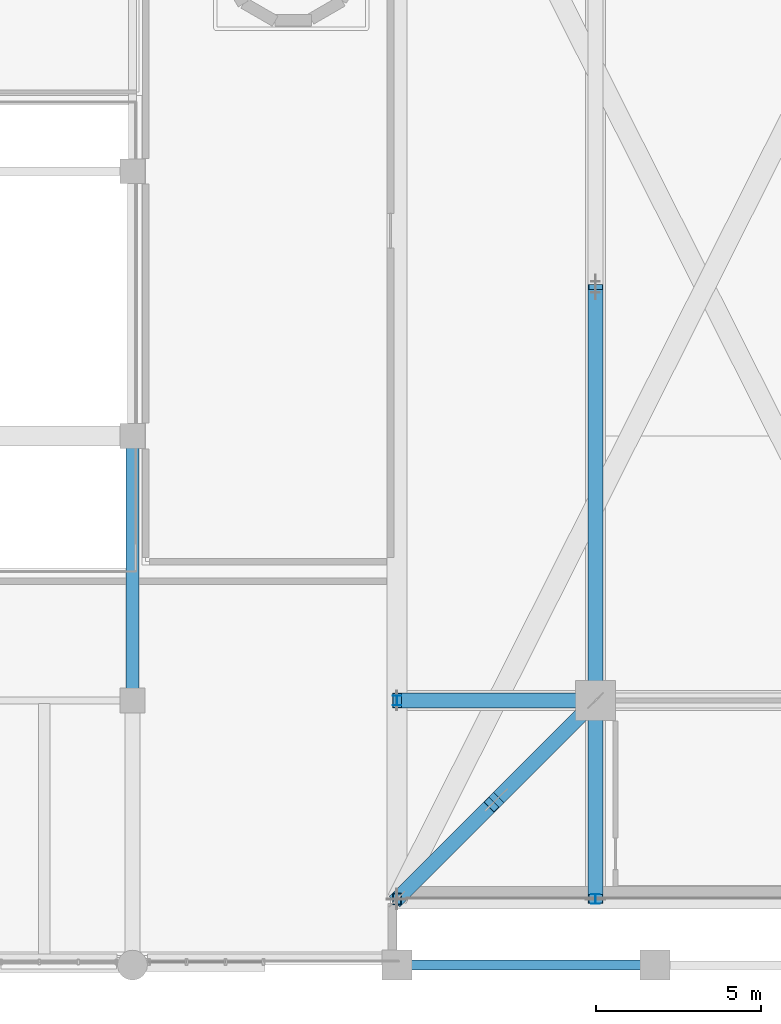
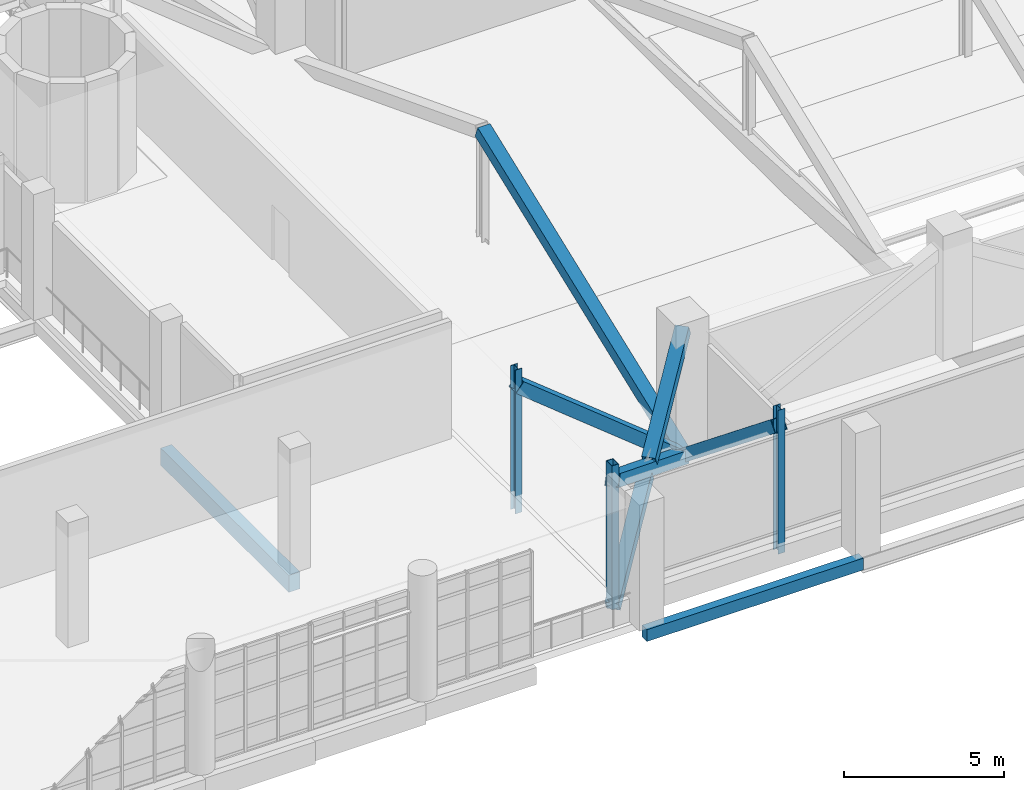
# One storey, part 23 of 127: 9 members, 2 beams.
"""IFC4 building model written with IfcOpenShell, lengths in metres."""

import ifcopenshell
import ifcopenshell.guid

model = None  # the IFC model being written
_history = None  # IfcOwnerHistory: only IFC2X3 demands one
_inside = {}  # id of a spatial element -> (the spatial element, [elements in it])
_under = {}  # id of a project, library or spatial element -> (it, [spatial elements below it])
_declared = {}  # id of a project -> (the project, [libraries it declares])
_typed = {}  # id of a type object -> (the type object, [elements of that type])
_made_of = {}  # id of a material, layer set ... -> (it, [elements and type objects made of it])


def new_model(schema):
    """Start an empty IFC model of exactly this schema.

    Asked for "IFC4X3", IfcOpenShell would pick the latest addendum, in which some entities
    have other attributes; the version numbers below select the first issue.
    IFC2X3 requires an IfcOwnerHistory on every rooted entity: one is made here for all.
    """
    global model, _history
    if schema == "IFC4X3":
        model = ifcopenshell.file(schema_version=(4, 3, 0, 0))
    else:
        model = ifcopenshell.file(schema=schema)
    _inside.clear()
    _under.clear()
    _declared.clear()
    _typed.clear()
    _made_of.clear()
    _history = None
    if model.schema == "IFC2X3":
        org = make("IfcOrganization", Name="unknown")
        user = make(
            "IfcPersonAndOrganization",
            ThePerson=make("IfcPerson", FamilyName="unknown"),
            TheOrganization=org,
        )
        app = make(
            "IfcApplication",
            ApplicationDeveloper=org,
            Version="unknown",
            ApplicationFullName="unknown",
            ApplicationIdentifier="unknown",
        )
        _history = make(
            "IfcOwnerHistory",
            OwningUser=user,
            OwningApplication=app,
            ChangeAction="ADDED",
            CreationDate=0,
        )
    return model


def make(cls, **values):
    """One entity of the class cls with the attributes given. An attribute that is None is left unset."""
    return model.create_entity(
        cls, **{name: value for name, value in values.items() if value is not None}
    )


def rooted(cls, **values):
    """An entity with a GlobalId (a new one), such as an element, a storey or a relation."""
    return make(cls, GlobalId=ifcopenshell.guid.new(), OwnerHistory=_history, **values)


def si_unit(unit_type, name, prefix=None):
    """IfcSIUnit, for example si_unit("LENGTHUNIT", "METRE", prefix="MILLI")."""
    return make("IfcSIUnit", UnitType=unit_type, Prefix=prefix, Name=name)


def derived_unit(unit_type, elements):
    """IfcDerivedUnit: a product of units, each with its exponent."""
    return make(
        "IfcDerivedUnit",
        Elements=[
            make("IfcDerivedUnitElement", Unit=unit, Exponent=power)
            for unit, power in elements
        ],
        UnitType=unit_type,
    )


def assignment(units):
    """IfcUnitAssignment: the units of a project."""
    return None if units is None else make("IfcUnitAssignment", Units=units)


def point(xyz):
    """IfcCartesianPoint."""
    return None if xyz is None else make("IfcCartesianPoint", Coordinates=xyz)


def direction(xyz):
    """IfcDirection."""
    return None if xyz is None else make("IfcDirection", DirectionRatios=xyz)


def frame(location, z_axis=None, x_axis=None):
    """IfcAxis2Placement3D, a coordinate frame: its origin and axes. An axis left out is left unset."""
    return make(
        "IfcAxis2Placement3D",
        Location=point(location),
        Axis=direction(z_axis),
        RefDirection=direction(x_axis),
    )


def frame_2d(location, x_axis=None):
    """IfcAxis2Placement2D, a coordinate frame in the plane: its origin and x axis."""
    return make(
        "IfcAxis2Placement2D", Location=point(location), RefDirection=direction(x_axis)
    )


def origin():
    """The frame at (0, 0, 0) with its axes left unset."""
    return frame((0.0, 0.0, 0.0))


def origin_2d():
    """The frame at (0, 0) in the plane with its x axis left unset."""
    return frame_2d((0.0, 0.0))


def place(relative_to, where):
    """IfcLocalPlacement: puts the frame where relative to a parent placement (None: the world)."""
    return make(
        "IfcLocalPlacement", PlacementRelTo=relative_to, RelativePlacement=where
    )


def context(
    kind, dimensions, precision=None, world=None, true_north=None, identifier=None
):
    """IfcGeometricRepresentationContext, for example the 3D "Model" context."""
    return make(
        "IfcGeometricRepresentationContext",
        ContextIdentifier=identifier,
        ContextType=kind,
        CoordinateSpaceDimension=dimensions,
        Precision=precision,
        WorldCoordinateSystem=world,
        TrueNorth=true_north,
    )


def subcontext(parent, identifier, kind, view, scale=None):
    """IfcGeometricRepresentationSubContext, for example "Body" below "Model"."""
    return make(
        "IfcGeometricRepresentationSubContext",
        ContextIdentifier=identifier,
        ContextType=kind,
        ParentContext=parent,
        TargetScale=scale,
        TargetView=view,
    )


def project(units=None, contexts=None):
    """IfcProject with its units and contexts."""
    return rooted(
        "IfcProject",
        Name="project",
        RepresentationContexts=contexts,
        UnitsInContext=assignment(units),
    )


def spatial(cls, under=None, at=None, **own):
    """A site, building, storey or space (cls), placed at a placement, below another one or the project."""
    s = rooted(cls, ObjectPlacement=at, **own)
    if under is not None:
        _under.setdefault(under.id(), (under, []))[1].append(s)
    return s


def profile(cls, at=None, kind="AREA", **sizes):
    """A parametric profile (cls). Its sizes go by their IFC names, for example OverallWidth=200.0."""
    return make(cls, ProfileType=kind, Position=at, **sizes)


def rectangle(**sizes):
    """IfcRectangleProfileDef."""
    return profile("IfcRectangleProfileDef", **sizes)


def hollow_rectangle(**sizes):
    """IfcRectangleHollowProfileDef."""
    return profile("IfcRectangleHollowProfileDef", **sizes)


def i_section(**sizes):
    """IfcIShapeProfileDef."""
    return profile("IfcIShapeProfileDef", **sizes)


def extrude(swept, where, along, depth):
    """IfcExtrudedAreaSolid: the profile swept, set in the frame where, extruded along a direction by depth."""
    return make(
        "IfcExtrudedAreaSolid",
        SweptArea=swept,
        Position=where,
        ExtrudedDirection=direction(along),
        Depth=depth,
    )


def shape(context_of_items, identifier, shape_type, items):
    """IfcShapeRepresentation: the items that make up one representation, for example the "Body"."""
    return make(
        "IfcShapeRepresentation",
        ContextOfItems=context_of_items,
        RepresentationIdentifier=identifier,
        RepresentationType=shape_type,
        Items=items,
    )


def material(Name=None, Category=None):
    """IfcMaterial."""
    return make("IfcMaterial", Name=Name, Category=Category)


def material_profile(
    of_material, cross_section, Name=None, Category=None, Priority=None
):
    """IfcMaterialProfile: a cross section and its material."""
    return make(
        "IfcMaterialProfile",
        Name=Name,
        Material=of_material,
        Profile=cross_section,
        Priority=Priority,
        Category=Category,
    )


def profile_set(profiles, Name=None, composite=None):
    """IfcMaterialProfileSet."""
    return make(
        "IfcMaterialProfileSet",
        Name=Name,
        MaterialProfiles=profiles,
        CompositeProfile=composite,
    )


def made_of(thing, what):
    """Note that an element or type object is made of a material, layer set ...; save() writes the relation."""
    if what is not None:
        _made_of.setdefault(what.id(), (what, []))[1].append(thing)
    return thing


def type_object(cls, material=None, **own):
    """A type object (cls), such as IfcWallType, which elements share."""
    return made_of(rooted(cls, **own), material)


def element(
    cls,
    number,
    at=None,
    inside=None,
    cuts=None,
    type_object=None,
    material=None,
    context=None,
    identifier="Body",
    shape_type=None,
    held_by="IfcProductDefinitionShape",
    body=None,
    shapes=None,
    **own,
):
    """One element of the class cls, such as IfcWall. Its Tag is "e" and its number.

    at: its placement. inside: the storey or other place that contains it. cuts: it is an
    opening in that element (IfcRelVoidsElement). A single representation is given by context,
    identifier, shape_type and body (its items); several are given by shapes. held_by: the class
    of the entity that holds the representations. save() writes the other relations.
    """
    e = rooted(cls, Tag="e%d" % number, ObjectPlacement=at, **own)
    if body is not None:
        shapes = [shape(context, identifier, shape_type, body)]
    if shapes is not None:
        e.Representation = make(held_by, Representations=shapes)
    if inside is not None:
        _inside.setdefault(inside.id(), (inside, []))[1].append(e)
    if cuts is not None:
        rooted(
            "IfcRelVoidsElement", RelatingBuildingElement=cuts, RelatedOpeningElement=e
        )
    if type_object is not None:
        _typed.setdefault(type_object.id(), (type_object, []))[1].append(e)
    return made_of(e, material)


def aggregate(whole, parts):
    """IfcRelAggregates: a whole, such as a stair, and the parts it consists of."""
    return rooted("IfcRelAggregates", RelatingObject=whole, RelatedObjects=parts)


def save(model, path):
    """Write the relations noted so far, then the file.

    IfcRelAggregates (storeys below a building ...), IfcRelContainedInSpatialStructure (elements
    in a storey), IfcRelDefinesByType, IfcRelAssociatesMaterial and IfcRelDeclares: one each for
    every whole, place, type object, material and project.
    """
    for whole, parts in _under.values():
        aggregate(whole, parts)
    for where, things in _inside.values():
        rooted(
            "IfcRelContainedInSpatialStructure",
            RelatedElements=things,
            RelatingStructure=where,
        )
    for kind, things in _typed.values():
        rooted("IfcRelDefinesByType", RelatedObjects=things, RelatingType=kind)
    for what, things in _made_of.values():
        rooted("IfcRelAssociatesMaterial", RelatedObjects=things, RelatingMaterial=what)
    for by, libraries in _declared.values():
        rooted("IfcRelDeclares", RelatingContext=by, RelatedDefinitions=libraries)
    model.write(path)


model = new_model("IFC4")

# Units and contexts
model_context = context("Model", 3, precision=1e-05, world=origin(), true_north=direction((0.0, 1.0)))
body_context = subcontext(model_context, "Body", "Model", "MODEL_VIEW")
ifc_project = project(units=[si_unit("LENGTHUNIT", "METRE"), si_unit("AREAUNIT", "SQUARE_METRE"), si_unit("VOLUMEUNIT", "CUBIC_METRE"), si_unit("PLANEANGLEUNIT", "RADIAN"), si_unit("MASSUNIT", "GRAM", prefix="KILO"), derived_unit("THERMALTRANSMITTANCEUNIT", [(si_unit("POWERUNIT", "WATT"), 1), (si_unit("LENGTHUNIT", "METRE"), -2), (si_unit("THERMODYNAMICTEMPERATUREUNIT", "KELVIN"), -1)])], contexts=[model_context])

# Site, building, storey
site_placement = place(None, origin())
site = spatial("IfcSite", under=ifc_project, at=site_placement, CompositionType="ELEMENT")
building_placement = place(site_placement, origin())
building = spatial("IfcBuilding", under=site, at=building_placement, Name="Nallur Shell Playhouse", CompositionType="ELEMENT")
storey_placement = place(building_placement, frame((0.0, 0.0, 5.39990234375)))
storey = spatial("IfcBuildingStorey", under=building, at=storey_placement, Name="L02", CompositionType="ELEMENT", Elevation=5.39990234375)

# Beams
ifc_material_1 = material(Name="Concrete M35", Category="concrete")
ifc_material_profile_1 = material_profile(ifc_material_1, rectangle(XDim=0.39990234375, YDim=0.64990234375, at=origin_2d()), Name="RC 400x650")
ifc_profile_set_1 = profile_set([ifc_material_profile_1], Name="Concrete M35")
beam_type_1 = type_object("IfcBeamType", Name="BM-RC-400x650", PredefinedType="BEAM", material=ifc_profile_set_1)
beam_1_placement = place(storey_placement, frame((56.0, 16.0, -0.60498046875), z_axis=(0.0, 1.0, 0.0), x_axis=(-1.0, 0.0, 0.0)))
element("IfcBeam", 1, at=beam_1_placement, inside=storey, type_object=beam_type_1, Name="L02 girder Y-7-431", PredefinedType="BEAM", context=body_context, shape_type="SweptSolid", body=[
    extrude(rectangle(XDim=0.39990234375, YDim=0.64990234375, at=origin_2d()), origin(), (0.0, 0.0, 1.0), 8.0),
])
ifc_material_profile_2 = material_profile(ifc_material_1, rectangle(XDim=0.300048828125, YDim=0.449951171875, at=origin_2d()), Name="RC 300x450")
ifc_profile_set_2 = profile_set([ifc_material_profile_2], Name="Concrete M35")
beam_type_2 = type_object("IfcBeamType", Name="BM-SPN-300x450", PredefinedType="SPANDREL", material=ifc_profile_set_2)
beam_2_placement = place(storey_placement, frame((64.0, 8.0, -0.5048828125), z_axis=(1.0, 0.0, 0.0), x_axis=(0.0, 1.0, 0.0)))
element("IfcBeam", 2, at=beam_2_placement, inside=storey, type_object=beam_type_2, Name="L02 girder X-A-320", PredefinedType="SPANDREL", context=body_context, shape_type="SweptSolid", body=[
    extrude(rectangle(XDim=0.300048828125, YDim=0.449951171875, at=origin_2d()), origin(), (0.0, 0.0, 1.0), 7.800048828125),
])

# Members
ifc_material_2 = material(Name="Steel E350", Category="steel")
ifc_material_profile_3 = material_profile(ifc_material_2, i_section(OverallWidth=0.25, OverallDepth=0.300048828125, WebThickness=0.009521484375, FlangeThickness=0.010498046875, FilletRadius=0.010986328125, at=origin_2d()), Name="ISHB 300")
ifc_profile_set_3 = profile_set([ifc_material_profile_3], Name="Steel E350")
member_type_1 = type_object("IfcMemberType", Name="MB-FASCIA-POST", PredefinedType="POST", material=ifc_profile_set_3)
for number, where, z_axis, x_axis, name in (
    (3, (70.0, 10.0, -0.679931640625), (0.0, 0.0, 1.0), (1.0, 0.0, 0.0), "Cantilever truss fascia post POST-GB-L02-02"),
    (4, (64.0, 16.0, -0.679931640625), (0.0, 0.0, 1.0), (1.0, 0.0, 0.0), "Cantilever truss fascia post POST-GB-L02-12"),
):
    element("IfcMember", number, at=place(storey_placement, frame(where, z_axis=z_axis, x_axis=x_axis)), inside=storey, type_object=member_type_1, Name=name, PredefinedType="POST", context=body_context, shape_type="SweptSolid", body=[
        extrude(i_section(OverallWidth=0.25, OverallDepth=0.300048828125, WebThickness=0.009521484375, FlangeThickness=0.010498046875, FilletRadius=0.010986328125, at=origin_2d()), origin(), (0.0, 0.0, 1.0), 5.47998046875),
    ])
ifc_material_profile_4 = material_profile(ifc_material_2, hollow_rectangle(XDim=0.25, YDim=0.35009765625, WallThickness=0.01611328125, at=origin_2d()), Name="RHS 350x250x16")
ifc_profile_set_4 = profile_set([ifc_material_profile_4], Name="Steel E350")
member_type_2 = type_object("IfcMemberType", Name="MB-FASCIA-RHS", PredefinedType="POST", material=ifc_profile_set_4)
member_1_placement = place(storey_placement, frame((64.0, 10.0, -0.679931640625), z_axis=(0.0, 0.0, 1.0), x_axis=(1.0, 0.0, 0.0)))
element("IfcMember", 5, at=member_1_placement, inside=storey, type_object=member_type_2, Name="Cantilever truss fascia post POST-GB-L02-01", PredefinedType="POST", context=body_context, shape_type="SweptSolid", body=[
    extrude(hollow_rectangle(XDim=0.25, YDim=0.35009765625, WallThickness=0.01611328125, at=origin_2d()), origin(), (0.0, 0.0, 1.0), 5.47998046875),
])
ifc_material_profile_5 = material_profile(ifc_material_2, hollow_rectangle(XDim=0.449951171875, YDim=0.449951171875, WallThickness=0.02001953125, at=origin_2d()), Name="BOX 450x450x20")
ifc_profile_set_5 = profile_set([ifc_material_profile_5], Name="Steel E350")
member_type_3 = type_object("IfcMemberType", Name="MB-TT-DIAG", PredefinedType="BRACE", material=ifc_profile_set_5)
for number, where, z_axis, x_axis, name in (
    (6, (64.0, 16.0, 4.14013671875), (0.779595223506, 0.0, -0.626283711657), (0.0, 1.0, 0.0), "Transfer truss TT-1 diagonal 1"),
    (7, (70.0, 10.0, 4.14013671875), (0.0, 0.779595223506, -0.626283711657), (-1.0, 0.0, 0.0), "Transfer truss TT-3 diagonal 1"),
):
    element("IfcMember", number, at=place(storey_placement, frame(where, z_axis=z_axis, x_axis=x_axis)), inside=storey, type_object=member_type_3, Name=name, PredefinedType="BRACE", context=body_context, shape_type="SweptSolid", body=[
        extrude(hollow_rectangle(XDim=0.449951171875, YDim=0.449951171875, WallThickness=0.02001953125, at=origin_2d()), origin(), (0.0, 0.0, 1.0), 7.6962890625),
    ])
member_2_placement = place(storey_placement, frame((70.0, 16.0, -0.679931640625), z_axis=(0.0, 0.933035744056, 0.359783685447), x_axis=(-1.0, 0.0, 0.0)))
element("IfcMember", 8, at=member_2_placement, inside=storey, type_object=member_type_3, Name="Transfer truss TT-3 diagonal 2", PredefinedType="BRACE", context=body_context, shape_type="SweptSolid", body=[
    extrude(hollow_rectangle(XDim=0.449951171875, YDim=0.449951171875, WallThickness=0.02001953125, at=origin_2d()), origin(), (0.0, 0.0, 1.0), 13.397216796875),
])
member_3_placement = place(storey_placement, frame((70.0, 16.0, -0.679931640625), z_axis=(-0.614833302554, -0.614833302554, 0.493923091322), x_axis=(0.707106781187, -0.707106781187, 0.0)))
element("IfcMember", 9, at=member_3_placement, inside=storey, type_object=member_type_3, Name="Corner transfer TTC-SW continuous diagonal strut", PredefinedType="BRACE", context=body_context, shape_type="SweptSolid", body=[
    extrude(hollow_rectangle(XDim=0.449951171875, YDim=0.449951171875, WallThickness=0.02001953125, at=origin_2d()), origin(), (0.0, 0.0, 1.0), 9.7587890625),
])
for number, where, z_axis, x_axis, name in (
    (10, (70.0, 16.0, 4.14013671875), (-0.614824935182, -0.614824935182, -0.493943922077), (0.707106781187, -0.707106781187, 0.0), "Corner transfer TTC-SW split diagonal tie 1"),
    (11, (66.852294921875, 12.852294921875, 1.611572265625), (-0.614824935182, -0.614824935182, -0.493943922077), (0.707106781187, -0.707106781187, 0.0), "Corner transfer TTC-SW split diagonal tie 2"),
):
    element("IfcMember", number, at=place(storey_placement, frame(where, z_axis=z_axis, x_axis=x_axis)), inside=storey, type_object=member_type_3, Name=name, PredefinedType="BRACE", context=body_context, shape_type="SweptSolid", body=[
        extrude(hollow_rectangle(XDim=0.449951171875, YDim=0.449951171875, WallThickness=0.02001953125, at=origin_2d()), origin(), (0.0, 0.0, 1.0), 4.63916015625),
    ])

save(model, "model.ifc")
